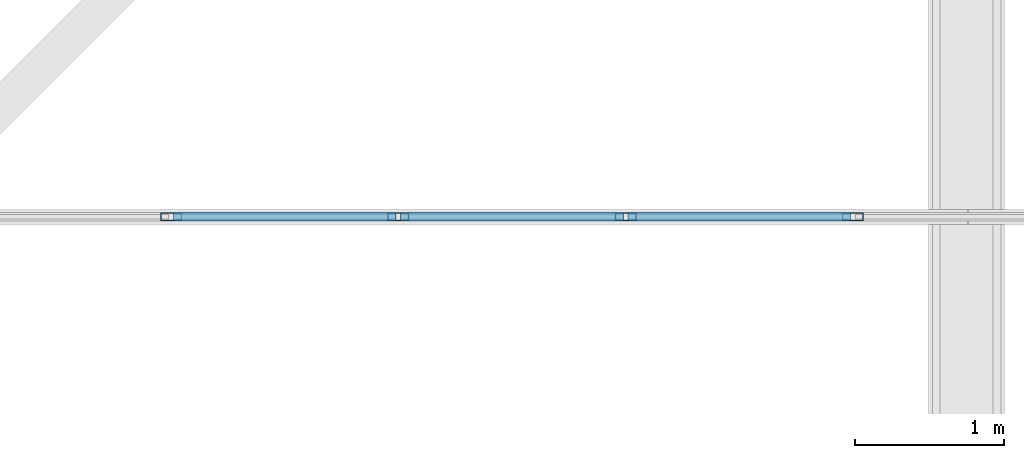
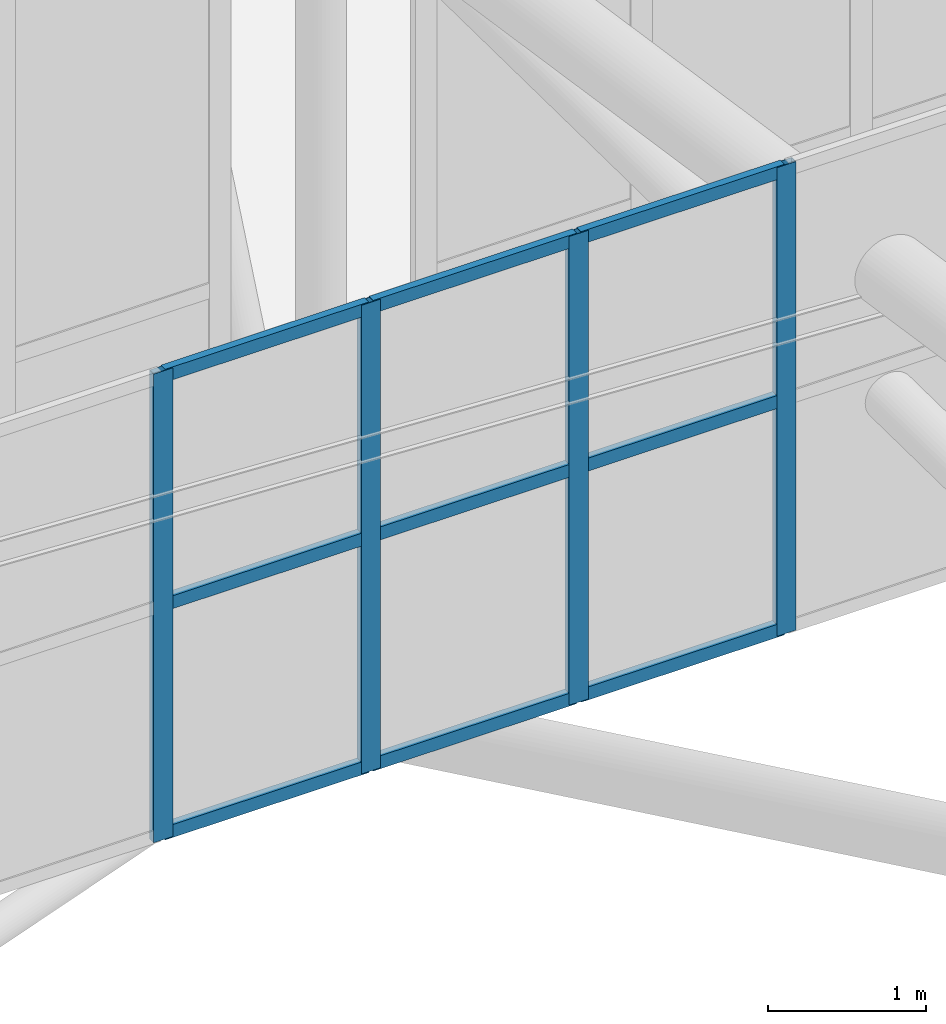
# One storey, part 315 of 397: 13 members, 1 element without a shape of its own.
"""IFC4 building model written with IfcOpenShell, lengths in metres."""

from ifc_helpers import new_model, si_unit, direction, frame, origin, origin_2d, place, context, subcontext, project, spatial, hollow_rectangle, extrude, material, material_profile, profile_set, type_object, element, aggregate, save


model = new_model("IFC4")

# Units and contexts
model_context = context("Model", 3, precision=1e-05, world=origin(), true_north=direction((0.0, 1.0)))
body_context = subcontext(model_context, "Body", "Model", "MODEL_VIEW")
ifc_project = project(units=[si_unit("LENGTHUNIT", "METRE"), si_unit("AREAUNIT", "SQUARE_METRE"), si_unit("VOLUMEUNIT", "CUBIC_METRE"), si_unit("PLANEANGLEUNIT", "RADIAN"), si_unit("MASSUNIT", "GRAM", prefix="KILO")], contexts=[model_context])

# Site, building, storey
site_placement = place(None, origin())
site = spatial("IfcSite", under=ifc_project, at=site_placement, CompositionType="ELEMENT")
building_placement = place(site_placement, origin())
building = spatial("IfcBuilding", under=site, at=building_placement, Name="Qandorah Velis Arena", CompositionType="ELEMENT")
storey_placement = place(building_placement, frame((0.0, 0.0, 27.5)))
storey = spatial("IfcBuildingStorey", under=building, at=storey_placement, Name="RF", CompositionType="ELEMENT", Elevation=27.5)

# Curtain wall, members
ifc_material_1 = material(Name="Solar-control low-E double glazing", Category="glass")
curtain_wall_type = type_object("IfcCurtainWallType", Name="ARC-CW-SYS05", PredefinedType="USERDEFINED", material=ifc_material_1)
curtain_wall_placement = place(storey_placement, origin())
curtain_wall = element("IfcCurtainWall", 1, at=curtain_wall_placement, inside=storey, type_object=curtain_wall_type, Name="Unitised curtain wall MON-4-5", ObjectType="UNITISED CURTAIN WALL", PredefinedType="USERDEFINED")
ifc_material_2 = material(Name="Champagne-bronze anodized aluminium 6063-T6", Category="aluminium")
ifc_material_profile_1 = material_profile(ifc_material_2, hollow_rectangle(XDim=0.054931640625, YDim=0.139892578125, WallThickness=0.0029296875, at=origin_2d()), Name="ALU MULLION 55x140")
ifc_profile_set_1 = profile_set([ifc_material_profile_1], Name="Champagne-bronze anodized aluminium 6063-T6")
member_type_1 = type_object("IfcMemberType", Name="ARC-CWM-140", PredefinedType="MULLION", material=ifc_profile_set_1)
member_1_placement = place(storey_placement, frame((81.072265625, 108.0, 5.337646484375), z_axis=(0.0, 0.0, 1.0), x_axis=(0.0, 1.0, 0.0)))
member_1 = element("IfcMember", 2, at=member_1_placement, type_object=member_type_1, Name="CW05 mullion 2", PredefinedType="MULLION", context=body_context, shape_type="SweptSolid", body=[
    extrude(hollow_rectangle(XDim=0.054931640625, YDim=0.139892578125, WallThickness=0.0029296875, at=origin_2d()), origin(), (0.0, 0.0, 1.0), 3.630126953125),
])
member_2_placement = place(storey_placement, frame((82.594482421875, 108.0, 5.337646484375), z_axis=(0.0, 0.0, 1.0), x_axis=(0.0, 1.0, 0.0)))
member_2 = element("IfcMember", 3, at=member_2_placement, type_object=member_type_1, Name="CW05 mullion 3", PredefinedType="MULLION", context=body_context, shape_type="SweptSolid", body=[
    extrude(hollow_rectangle(XDim=0.054931640625, YDim=0.139892578125, WallThickness=0.0029296875, at=origin_2d()), origin(), (0.0, 0.0, 1.0), 3.630126953125),
])
member_3_placement = place(storey_placement, frame((84.11669921875, 108.0, 5.337646484375), z_axis=(0.0, 0.0, 1.0), x_axis=(0.0, 1.0, 0.0)))
member_3 = element("IfcMember", 4, at=member_3_placement, type_object=member_type_1, Name="CW05 mullion 4", PredefinedType="MULLION", context=body_context, shape_type="SweptSolid", body=[
    extrude(hollow_rectangle(XDim=0.054931640625, YDim=0.139892578125, WallThickness=0.0029296875, at=origin_2d()), origin(), (0.0, 0.0, 1.0), 3.630126953125),
])
member_4_placement = place(storey_placement, frame((85.638916015625, 108.0, 5.337646484375), z_axis=(0.0, 0.0, 1.0), x_axis=(0.0, 1.0, 0.0)))
member_4 = element("IfcMember", 5, at=member_4_placement, type_object=member_type_1, Name="CW05 mullion 5", PredefinedType="MULLION", context=body_context, shape_type="SweptSolid", body=[
    extrude(hollow_rectangle(XDim=0.054931640625, YDim=0.139892578125, WallThickness=0.0029296875, at=origin_2d()), origin(), (0.0, 0.0, 1.0), 3.630126953125),
])
ifc_material_profile_2 = material_profile(ifc_material_2, hollow_rectangle(XDim=0.054931640625, YDim=0.10009765625, WallThickness=0.0029296875, at=origin_2d()), Name="ALU TRANSOM 55x100")
ifc_profile_set_2 = profile_set([ifc_material_profile_2], Name="Champagne-bronze anodized aluminium 6063-T6")
member_type_2 = type_object("IfcMemberType", Name="ARC-CWT-100", PredefinedType="USERDEFINED", material=ifc_profile_set_2)
member_5_placement = place(storey_placement, frame((81.087646484375, 108.0, 5.380126953125), z_axis=(1.0, 0.0, 0.0), x_axis=(0.0, 1.0, 0.0)))
member_5 = element("IfcMember", 6, at=member_5_placement, type_object=member_type_2, Name="CW05 transom 2.1", ObjectType="TRANSOM", PredefinedType="USERDEFINED", context=body_context, shape_type="SweptSolid", body=[
    extrude(hollow_rectangle(XDim=0.054931640625, YDim=0.10009765625, WallThickness=0.0029296875, at=origin_2d()), origin(), (0.0, 0.0, 1.0), 1.4912109375),
])
member_6_placement = place(storey_placement, frame((81.087646484375, 108.0, 7.152587890625), z_axis=(1.0, 0.0, 0.0), x_axis=(0.0, 1.0, 0.0)))
member_6 = element("IfcMember", 7, at=member_6_placement, type_object=member_type_2, Name="CW05 transom 2.2", ObjectType="TRANSOM", PredefinedType="USERDEFINED", context=body_context, shape_type="SweptSolid", body=[
    extrude(hollow_rectangle(XDim=0.054931640625, YDim=0.10009765625, WallThickness=0.0029296875, at=origin_2d()), origin(), (0.0, 0.0, 1.0), 1.4912109375),
])
member_7_placement = place(storey_placement, frame((81.087646484375, 108.0, 8.92529296875), z_axis=(1.0, 0.0, 0.0), x_axis=(0.0, 1.0, 0.0)))
member_7 = element("IfcMember", 8, at=member_7_placement, type_object=member_type_2, Name="CW05 transom 2.3", ObjectType="TRANSOM", PredefinedType="USERDEFINED", context=body_context, shape_type="SweptSolid", body=[
    extrude(hollow_rectangle(XDim=0.054931640625, YDim=0.10009765625, WallThickness=0.0029296875, at=origin_2d()), origin(), (0.0, 0.0, 1.0), 1.4912109375),
])
member_8_placement = place(storey_placement, frame((82.60986328125, 108.0, 5.380126953125), z_axis=(1.0, 0.0, 0.0), x_axis=(0.0, 1.0, 0.0)))
member_8 = element("IfcMember", 9, at=member_8_placement, type_object=member_type_2, Name="CW05 transom 3.1", ObjectType="TRANSOM", PredefinedType="USERDEFINED", context=body_context, shape_type="SweptSolid", body=[
    extrude(hollow_rectangle(XDim=0.054931640625, YDim=0.10009765625, WallThickness=0.0029296875, at=origin_2d()), origin(), (0.0, 0.0, 1.0), 1.491455078125),
])
member_9_placement = place(storey_placement, frame((82.60986328125, 108.0, 7.152587890625), z_axis=(1.0, 0.0, 0.0), x_axis=(0.0, 1.0, 0.0)))
member_9 = element("IfcMember", 10, at=member_9_placement, type_object=member_type_2, Name="CW05 transom 3.2", ObjectType="TRANSOM", PredefinedType="USERDEFINED", context=body_context, shape_type="SweptSolid", body=[
    extrude(hollow_rectangle(XDim=0.054931640625, YDim=0.10009765625, WallThickness=0.0029296875, at=origin_2d()), origin(), (0.0, 0.0, 1.0), 1.491455078125),
])
member_10_placement = place(storey_placement, frame((82.60986328125, 108.0, 8.92529296875), z_axis=(1.0, 0.0, 0.0), x_axis=(0.0, 1.0, 0.0)))
member_10 = element("IfcMember", 11, at=member_10_placement, type_object=member_type_2, Name="CW05 transom 3.3", ObjectType="TRANSOM", PredefinedType="USERDEFINED", context=body_context, shape_type="SweptSolid", body=[
    extrude(hollow_rectangle(XDim=0.054931640625, YDim=0.10009765625, WallThickness=0.0029296875, at=origin_2d()), origin(), (0.0, 0.0, 1.0), 1.491455078125),
])
member_11_placement = place(storey_placement, frame((84.132080078125, 108.0, 5.380126953125), z_axis=(1.0, 0.0, 0.0), x_axis=(0.0, 1.0, 0.0)))
member_11 = element("IfcMember", 12, at=member_11_placement, type_object=member_type_2, Name="CW05 transom 4.1", ObjectType="TRANSOM", PredefinedType="USERDEFINED", context=body_context, shape_type="SweptSolid", body=[
    extrude(hollow_rectangle(XDim=0.054931640625, YDim=0.10009765625, WallThickness=0.0029296875, at=origin_2d()), origin(), (0.0, 0.0, 1.0), 1.4912109375),
])
member_12_placement = place(storey_placement, frame((84.132080078125, 108.0, 7.152587890625), z_axis=(1.0, 0.0, 0.0), x_axis=(0.0, 1.0, 0.0)))
member_12 = element("IfcMember", 13, at=member_12_placement, type_object=member_type_2, Name="CW05 transom 4.2", ObjectType="TRANSOM", PredefinedType="USERDEFINED", context=body_context, shape_type="SweptSolid", body=[
    extrude(hollow_rectangle(XDim=0.054931640625, YDim=0.10009765625, WallThickness=0.0029296875, at=origin_2d()), origin(), (0.0, 0.0, 1.0), 1.4912109375),
])
member_13_placement = place(storey_placement, frame((84.132080078125, 108.0, 8.92529296875), z_axis=(1.0, 0.0, 0.0), x_axis=(0.0, 1.0, 0.0)))
member_13 = element("IfcMember", 14, at=member_13_placement, type_object=member_type_2, Name="CW05 transom 4.3", ObjectType="TRANSOM", PredefinedType="USERDEFINED", context=body_context, shape_type="SweptSolid", body=[
    extrude(hollow_rectangle(XDim=0.054931640625, YDim=0.10009765625, WallThickness=0.0029296875, at=origin_2d()), origin(), (0.0, 0.0, 1.0), 1.4912109375),
])
aggregate(curtain_wall, [member_1, member_2, member_3, member_4, member_5, member_6, member_7, member_8, member_9, member_10, member_11, member_12, member_13])

save(model, "model.ifc")
